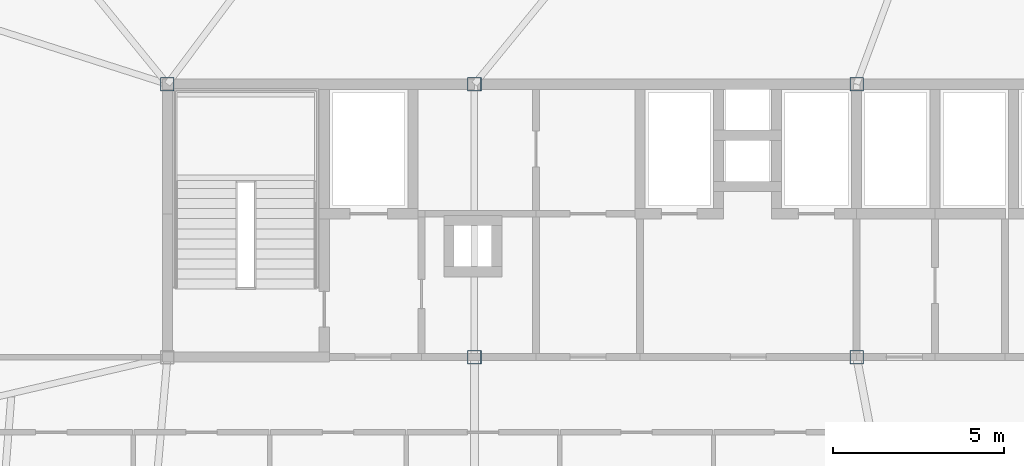
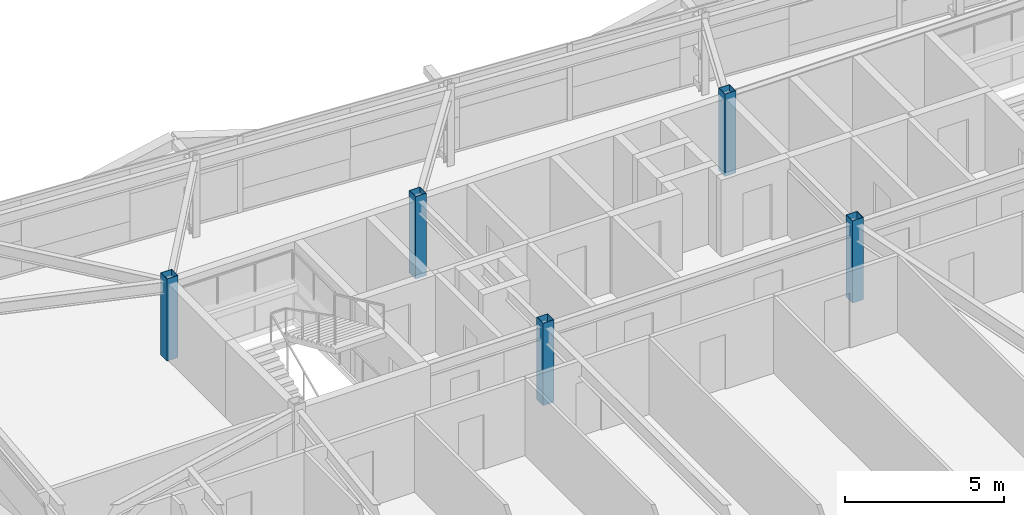
# One storey, part 2 of 39: 5 columns.
"""IFC4 building model written with IfcOpenShell, lengths in metres."""

from ifc_helpers import new_model, si_unit, direction, frame, origin, origin_2d, place, context, subcontext, project, spatial, hollow_rectangle, extrude, source, transform, mapped, material, material_profile, profile_set, type_object, element, save


model = new_model("IFC4")

# Units and contexts
model_context = context("Model", 3, precision=1e-05, world=origin(), true_north=direction((0.0, 1.0)))
body_context = subcontext(model_context, "Body", "Model", "MODEL_VIEW")
ifc_project = project(units=[si_unit("LENGTHUNIT", "METRE"), si_unit("AREAUNIT", "SQUARE_METRE"), si_unit("VOLUMEUNIT", "CUBIC_METRE"), si_unit("PLANEANGLEUNIT", "RADIAN"), si_unit("MASSUNIT", "GRAM", prefix="KILO")], contexts=[model_context])

# Site, building, storey
site_placement = place(None, origin())
site = spatial("IfcSite", under=ifc_project, at=site_placement, CompositionType="ELEMENT")
building_placement = place(site_placement, origin())
building = spatial("IfcBuilding", under=site, at=building_placement, Name="Taldren Reach Tower", CompositionType="ELEMENT")
storey_placement = place(building_placement, frame((0.0, 0.0, 158.199951171875)))
storey = spatial("IfcBuildingStorey", under=building, at=storey_placement, Name="L48", CompositionType="ELEMENT", Elevation=158.199951171875)

# Columns
ifc_material = material(Name="Steel Gr 450 (C450L0)", Category="steel")
ifc_material_profile = material_profile(ifc_material, hollow_rectangle(XDim=0.39990234375, YDim=0.39990234375, WallThickness=0.01611328125, at=origin_2d()), Name="400x400x16.0SHS")
ifc_profile_set = profile_set([ifc_material_profile], Name="Steel Gr 450 (C450L0)")
column_type = type_object("IfcColumnType", Name="COL-SHS400", PredefinedType="COLUMN", material=ifc_profile_set)
shared_shape = source(origin(), body_context, "Body", "SweptSolid", [
    extrude(hollow_rectangle(XDim=0.39990234375, YDim=0.39990234375, WallThickness=0.01611328125, at=origin_2d()), origin(), (0.0, 0.0, 1.0), 3.150146484375),
])
for number, where, z_axis, x_axis, name in (
    (1, (28.0, 24.0, 0.0), (0.0, 0.0, 1.0), (1.0, 0.0, 0.0), "Mega column MC-C2 L48"),
    (2, (39.199951171875, 24.0, 0.0), (0.0, 0.0, 1.0), (1.0, 0.0, 0.0), "Mega column MC-C3 L48"),
    (3, (19.0, 32.0, 0.0), (0.0, 0.0, 1.0), (1.0, 0.0, 0.0), "Mega column MC-C5 L48"),
    (4, (28.0, 32.0, 0.0), (0.0, 0.0, 1.0), (1.0, 0.0, 0.0), "Mega column MC-C6 L48"),
    (5, (39.199951171875, 32.0, 0.0), (0.0, 0.0, 1.0), (1.0, 0.0, 0.0), "Mega column MC-C7 L48"),
):
    element("IfcColumn", number, at=place(storey_placement, frame(where, z_axis=z_axis, x_axis=x_axis)), inside=storey, type_object=column_type, Name=name, PredefinedType="COLUMN", context=body_context, shape_type="MappedRepresentation", body=[
        mapped(shared_shape, transform((0.0, 0.0, 0.0), scale=1.0)),
    ])

save(model, "model.ifc")
